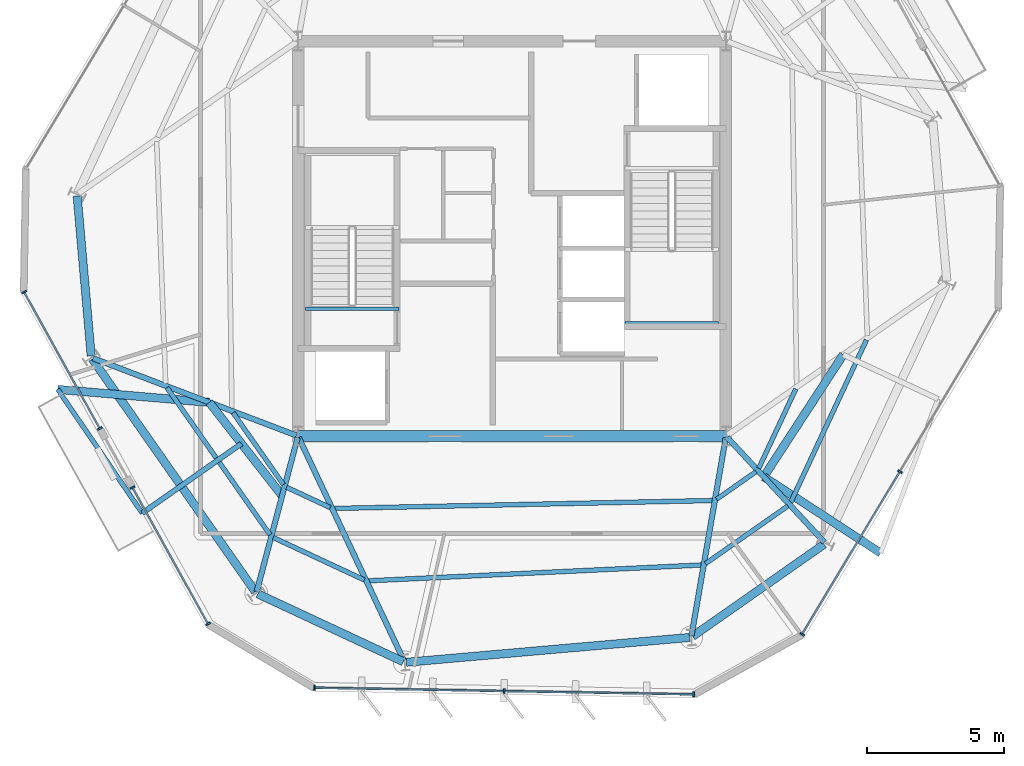
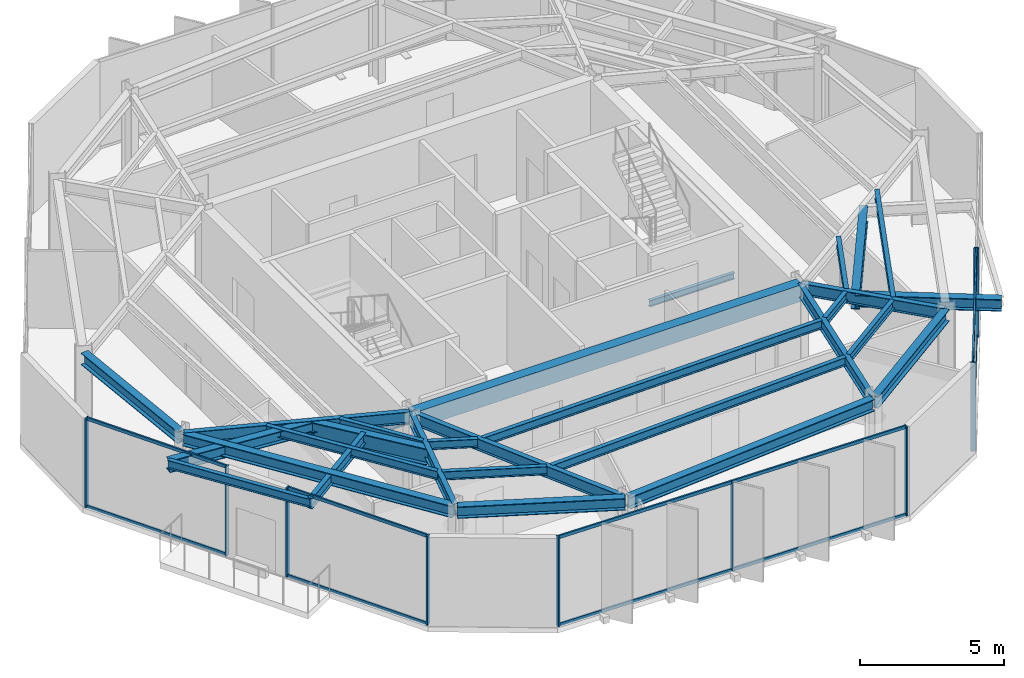
# One storey, part 2 of 10: 29 beams, 19 members, 4 elements without a shape of their own.
"""IFC4 building model written with IfcOpenShell, lengths in metres."""

from ifc_helpers import new_model, si_unit, direction, frame, origin, origin_2d, place, context, subcontext, project, spatial, rectangle, i_section, extrude, material, layer, layer_set, material_profile, profile_set, type_object, element, aggregate, save


model = new_model("IFC4")

# Units and contexts
model_context = context("Model", 3, precision=1e-05, world=origin(), true_north=direction((0.0, 1.0)))
body_context = subcontext(model_context, "Body", "Model", "MODEL_VIEW")
ifc_project = project(units=[si_unit("LENGTHUNIT", "METRE"), si_unit("AREAUNIT", "SQUARE_METRE"), si_unit("VOLUMEUNIT", "CUBIC_METRE"), si_unit("PLANEANGLEUNIT", "RADIAN"), si_unit("MASSUNIT", "GRAM", prefix="KILO")], contexts=[model_context])

# Site, building, storey
site_placement = place(None, origin())
site = spatial("IfcSite", under=ifc_project, at=site_placement, CompositionType="ELEMENT")
building_placement = place(site_placement, origin())
building = spatial("IfcBuilding", under=site, at=building_placement, Name="Kranzbogen Civic Tower", CompositionType="ELEMENT")
storey_placement = place(building_placement, frame((0.0, 0.0, 262.199951171875)))
storey = spatial("IfcBuildingStorey", under=building, at=storey_placement, Name="L63", CompositionType="ELEMENT", Elevation=262.199951171875)

# Beams
ifc_material_1 = material(Name="Steel S355", Category="steel")
ifc_material_profile_1 = material_profile(ifc_material_1, i_section(OverallWidth=0.18994140625, OverallDepth=0.449951171875, WebThickness=0.009521484375, FlangeThickness=0.0146484375, at=origin_2d()), Name="IPE 450")
ifc_profile_set_1 = profile_set([ifc_material_profile_1], Name="Steel S355")
beam_type_1 = type_object("IfcBeamType", Name="Braced Terrace Edge Beam IPE 450", PredefinedType="BEAM", material=ifc_profile_set_1)
beam_1_placement = place(storey_placement, frame((15.138916015625, 17.52490234375, 3.525146484375), z_axis=(-0.819187768646, -0.5735254133, 0.0), x_axis=(0.5735254133, -0.819187768646, 0.0)))
element("IfcBeam", 1, at=beam_1_placement, inside=storey, type_object=beam_type_1, Name="L64 back-spanned terrace beam L64-TB1-2", PredefinedType="BEAM", context=body_context, shape_type="SweptSolid", body=[
    extrude(i_section(OverallWidth=0.18994140625, OverallDepth=0.449951171875, WebThickness=0.009521484375, FlangeThickness=0.0146484375, at=origin_2d()), origin(), (0.0, 0.0, 1.0), 4.41650390625),
])
ifc_material_2 = material(Name="Concrete C40/50", Category="concrete")
ifc_material_profile_2 = material_profile(ifc_material_2, rectangle(XDim=0.39990234375, YDim=0.699951171875, at=origin_2d()), Name="RC-BM 400x700")
ifc_profile_set_2 = profile_set([ifc_material_profile_2], Name="Concrete C40/50")
beam_type_2 = type_object("IfcBeamType", Name="Core Coupling Lintel Beam 400x700", PredefinedType="LINTEL", material=ifc_profile_set_2)
beam_2_placement = place(storey_placement, frame((17.199951171875, 17.800048828125, 3.429931640625), z_axis=(1.0, 0.0, 0.0), x_axis=(0.0, 1.0, 0.0)))
element("IfcBeam", 2, at=beam_2_placement, inside=storey, type_object=beam_type_2, Name="L63 core South coupling lintel beam", PredefinedType="LINTEL", context=body_context, shape_type="SweptSolid", body=[
    extrude(rectangle(XDim=0.39990234375, YDim=0.699951171875, at=origin_2d()), origin(), (0.0, 0.0, 1.0), 15.60009765625),
])

# Curtain wall, members
ifc_material_3 = material(Name="Pale Anodised Aluminium", Category="aluminium")
ifc_layer = layer(ifc_material_3, 0.219970703125, Name="Pale Anodised Aluminium")
ifc_layer_set = layer_set([ifc_layer], Name="Pale Anodised Aluminium")
curtain_wall_type = type_object("IfcCurtainWallType", Name="Zone 4 Stick Curtain Wall System CW-05", PredefinedType="USERDEFINED", material=ifc_layer_set)
curtain_wall_1_placement = place(storey_placement, origin())
curtain_wall_1 = element("IfcCurtainWall", 3, at=curtain_wall_1_placement, inside=storey, type_object=curtain_wall_type, Name="L63 curtain wall CW-L63-F3-S1", ObjectType="STICK CURTAIN WALL", PredefinedType="USERDEFINED")
ifc_material_profile_3 = material_profile(ifc_material_3, rectangle(XDim=0.06494140625, YDim=0.179931640625, at=origin_2d()), Name="ALU-M 65x180")
ifc_profile_set_3 = profile_set([ifc_material_profile_3], Name="Pale Anodised Aluminium")
member_type_1 = type_object("IfcMemberType", Name="Curtain Wall Mullion ALU-M 65x180", PredefinedType="MULLION", material=ifc_profile_set_3)
member_1_placement = place(storey_placement, frame((7.219482421875, 23.0517578125, 0.0), z_axis=(0.0, 0.0, 1.0), x_axis=(0.484815305317, -0.874616555829, 0.0)))
member_1 = element("IfcMember", 4, at=member_1_placement, type_object=member_type_1, Name="CW-05 mullion 1", PredefinedType="MULLION", context=body_context, shape_type="SweptSolid", body=[
    extrude(rectangle(XDim=0.06494140625, YDim=0.179931640625, at=origin_2d()), origin(), (0.0, 0.0, 1.0), 3.780029296875),
])
member_2_placement = place(storey_placement, frame((9.9765625, 18.078125, 0.0), z_axis=(0.0, 0.0, 1.0), x_axis=(0.484815305317, -0.874616555829, 0.0)))
member_2 = element("IfcMember", 5, at=member_2_placement, type_object=member_type_1, Name="CW-05 mullion 2", PredefinedType="MULLION", context=body_context, shape_type="SweptSolid", body=[
    extrude(rectangle(XDim=0.06494140625, YDim=0.179931640625, at=origin_2d()), origin(), (0.0, 0.0, 1.0), 3.780029296875),
])

curtain_wall_2_placement = place(storey_placement, origin())
curtain_wall_2 = element("IfcCurtainWall", 6, at=curtain_wall_2_placement, inside=storey, type_object=curtain_wall_type, Name="L63 curtain wall CW-L63-F3-S2", ObjectType="STICK CURTAIN WALL", PredefinedType="USERDEFINED")
member_3_placement = place(storey_placement, frame((11.16845703125, 15.9267578125, 0.0), z_axis=(0.0, 0.0, 1.0), x_axis=(0.484815305317, -0.874616555829, 0.0)))
member_3 = element("IfcMember", 7, at=member_3_placement, type_object=member_type_1, Name="CW-05 mullion 1", PredefinedType="MULLION", context=body_context, shape_type="SweptSolid", body=[
    extrude(rectangle(XDim=0.06494140625, YDim=0.179931640625, at=origin_2d()), origin(), (0.0, 0.0, 1.0), 3.780029296875),
])
member_4_placement = place(storey_placement, frame((13.925537109375, 10.953125, 0.0), z_axis=(0.0, 0.0, 1.0), x_axis=(0.484815305317, -0.874616555829, 0.0)))
member_4 = element("IfcMember", 8, at=member_4_placement, type_object=member_type_1, Name="CW-05 mullion 2", PredefinedType="MULLION", context=body_context, shape_type="SweptSolid", body=[
    extrude(rectangle(XDim=0.06494140625, YDim=0.179931640625, at=origin_2d()), origin(), (0.0, 0.0, 1.0), 3.780029296875),
])

curtain_wall_3_placement = place(storey_placement, origin())
curtain_wall_3 = element("IfcCurtainWall", 9, at=curtain_wall_3_placement, inside=storey, type_object=curtain_wall_type, Name="L63 curtain wall CW-L63-F4", ObjectType="STICK CURTAIN WALL", PredefinedType="USERDEFINED")
member_5_placement = place(storey_placement, frame((17.798095703125, 8.62744140625, 0.0), z_axis=(0.0, 0.0, 1.0), x_axis=(0.999846982569, -0.017493182866, 0.0)))
member_5 = element("IfcMember", 10, at=member_5_placement, type_object=member_type_1, Name="CW-05 mullion 1", PredefinedType="MULLION", context=body_context, shape_type="SweptSolid", body=[
    extrude(rectangle(XDim=0.06494140625, YDim=0.179931640625, at=origin_2d()), origin(), (0.0, 0.0, 1.0), 3.780029296875),
])
member_6_placement = place(storey_placement, frame((24.71240234375, 8.506591796875, 0.0), z_axis=(0.0, 0.0, 1.0), x_axis=(0.999846982569, -0.017493182866, 0.0)))
member_6 = element("IfcMember", 11, at=member_6_placement, type_object=member_type_1, Name="CW-05 mullion 2", PredefinedType="MULLION", context=body_context, shape_type="SweptSolid", body=[
    extrude(rectangle(XDim=0.06494140625, YDim=0.179931640625, at=origin_2d()), origin(), (0.0, 0.0, 1.0), 3.780029296875),
])
member_7_placement = place(storey_placement, frame((31.626953125, 8.385498046875, 0.0), z_axis=(0.0, 0.0, 1.0), x_axis=(0.999846982569, -0.017493182866, 0.0)))
member_7 = element("IfcMember", 12, at=member_7_placement, type_object=member_type_1, Name="CW-05 mullion 3", PredefinedType="MULLION", context=body_context, shape_type="SweptSolid", body=[
    extrude(rectangle(XDim=0.06494140625, YDim=0.179931640625, at=origin_2d()), origin(), (0.0, 0.0, 1.0), 3.780029296875),
])

curtain_wall_4_placement = place(storey_placement, origin())
curtain_wall_4 = element("IfcCurtainWall", 13, at=curtain_wall_4_placement, inside=storey, type_object=curtain_wall_type, Name="L63 curtain wall CW-L63-F5", ObjectType="STICK CURTAIN WALL", PredefinedType="USERDEFINED")
member_8_placement = place(storey_placement, frame((35.577392578125, 10.57568359375, 0.0), z_axis=(0.0, 0.0, 1.0), x_axis=(0.515035522979, 0.857168834052, 0.0)))
member_8 = element("IfcMember", 14, at=member_8_placement, type_object=member_type_1, Name="CW-05 mullion 1", PredefinedType="MULLION", context=body_context, shape_type="SweptSolid", body=[
    extrude(rectangle(XDim=0.06494140625, YDim=0.179931640625, at=origin_2d()), origin(), (0.0, 0.0, 1.0), 3.780029296875),
])
member_9_placement = place(storey_placement, frame((39.139404296875, 16.50390625, 0.0), z_axis=(0.0, 0.0, 1.0), x_axis=(0.515035522979, 0.857168834052, 0.0)))
member_9 = element("IfcMember", 15, at=member_9_placement, type_object=member_type_1, Name="CW-05 mullion 2", PredefinedType="MULLION", context=body_context, shape_type="SweptSolid", body=[
    extrude(rectangle(XDim=0.06494140625, YDim=0.179931640625, at=origin_2d()), origin(), (0.0, 0.0, 1.0), 3.780029296875),
])

# Member
ifc_material_profile_4 = material_profile(ifc_material_3, rectangle(XDim=0.06494140625, YDim=0.135009765625, at=origin_2d()), Name="ALU-T 65x135")
ifc_profile_set_4 = profile_set([ifc_material_profile_4], Name="Pale Anodised Aluminium")
member_type_2 = type_object("IfcMemberType", Name="Curtain Wall Transom ALU-T 65x135", PredefinedType="USERDEFINED", material=ifc_profile_set_4)
member_10_placement = place(storey_placement, frame((7.234130859375, 23.025634765625, 0.030029296875), z_axis=(0.484802731222, -0.874623525753, 0.0), x_axis=(0.874623525753, 0.484802731222, 0.0)))
member_10 = element("IfcMember", 16, at=member_10_placement, type_object=member_type_2, Name="CW-05 transom 1.1", ObjectType="TRANSOM", PredefinedType="USERDEFINED", context=body_context, shape_type="SweptSolid", body=[
    extrude(rectangle(XDim=0.06494140625, YDim=0.135009765625, at=origin_2d()), origin(), (0.0, 0.0, 1.0), 5.62646484375),
])

member_11_placement = place(storey_placement, frame((7.234130859375, 23.025634765625, 3.75), z_axis=(0.484802731222, -0.874623525753, 0.0), x_axis=(0.874623525753, 0.484802731222, 0.0)))
member_11 = element("IfcMember", 17, at=member_11_placement, type_object=member_type_2, Name="CW-05 transom 1.2", ObjectType="TRANSOM", PredefinedType="USERDEFINED", context=body_context, shape_type="SweptSolid", body=[
    extrude(rectangle(XDim=0.06494140625, YDim=0.135009765625, at=origin_2d()), origin(), (0.0, 0.0, 1.0), 5.62646484375),
])

aggregate(curtain_wall_1, [member_1, member_2, member_10, member_11])

member_12_placement = place(storey_placement, frame((11.18310546875, 15.900634765625, 0.030029296875), z_axis=(0.484802731222, -0.874623525753, 0.0), x_axis=(0.874623525753, 0.484802731222, 0.0)))
member_12 = element("IfcMember", 18, at=member_12_placement, type_object=member_type_2, Name="CW-05 transom 1.1", ObjectType="TRANSOM", PredefinedType="USERDEFINED", context=body_context, shape_type="SweptSolid", body=[
    extrude(rectangle(XDim=0.06494140625, YDim=0.135009765625, at=origin_2d()), origin(), (0.0, 0.0, 1.0), 5.62646484375),
])

member_13_placement = place(storey_placement, frame((11.18310546875, 15.900634765625, 3.75), z_axis=(0.484802731222, -0.874623525753, 0.0), x_axis=(0.874623525753, 0.484802731222, 0.0)))
member_13 = element("IfcMember", 19, at=member_13_placement, type_object=member_type_2, Name="CW-05 transom 1.2", ObjectType="TRANSOM", PredefinedType="USERDEFINED", context=body_context, shape_type="SweptSolid", body=[
    extrude(rectangle(XDim=0.06494140625, YDim=0.135009765625, at=origin_2d()), origin(), (0.0, 0.0, 1.0), 5.62646484375),
])

aggregate(curtain_wall_2, [member_3, member_4, member_12, member_13])

member_14_placement = place(storey_placement, frame((17.827880859375, 8.626953125, 0.030029296875), z_axis=(0.999847126578, -0.017484949929, 0.0), x_axis=(0.017484949929, 0.999847126578, 0.0)))
member_14 = element("IfcMember", 20, at=member_14_placement, type_object=member_type_2, Name="CW-05 transom 1.1", ObjectType="TRANSOM", PredefinedType="USERDEFINED", context=body_context, shape_type="SweptSolid", body=[
    extrude(rectangle(XDim=0.06494140625, YDim=0.135009765625, at=origin_2d()), origin(), (0.0, 0.0, 1.0), 6.855712890625),
])

member_15_placement = place(storey_placement, frame((17.827880859375, 8.626953125, 3.75), z_axis=(0.999847126578, -0.017484949929, 0.0), x_axis=(0.017484949929, 0.999847126578, 0.0)))
member_15 = element("IfcMember", 21, at=member_15_placement, type_object=member_type_2, Name="CW-05 transom 1.2", ObjectType="TRANSOM", PredefinedType="USERDEFINED", context=body_context, shape_type="SweptSolid", body=[
    extrude(rectangle(XDim=0.06494140625, YDim=0.135009765625, at=origin_2d()), origin(), (0.0, 0.0, 1.0), 6.855712890625),
])

member_16_placement = place(storey_placement, frame((24.742431640625, 8.505859375, 0.030029296875), z_axis=(0.99984711569, -0.01748557251, 0.0), x_axis=(0.01748557251, 0.99984711569, 0.0)))
member_16 = element("IfcMember", 22, at=member_16_placement, type_object=member_type_2, Name="CW-05 transom 2.1", ObjectType="TRANSOM", PredefinedType="USERDEFINED", context=body_context, shape_type="SweptSolid", body=[
    extrude(rectangle(XDim=0.06494140625, YDim=0.135009765625, at=origin_2d()), origin(), (0.0, 0.0, 1.0), 6.85546875),
])

member_17_placement = place(storey_placement, frame((24.742431640625, 8.505859375, 3.75), z_axis=(0.99984711569, -0.01748557251, 0.0), x_axis=(0.01748557251, 0.99984711569, 0.0)))
member_17 = element("IfcMember", 23, at=member_17_placement, type_object=member_type_2, Name="CW-05 transom 2.2", ObjectType="TRANSOM", PredefinedType="USERDEFINED", context=body_context, shape_type="SweptSolid", body=[
    extrude(rectangle(XDim=0.06494140625, YDim=0.135009765625, at=origin_2d()), origin(), (0.0, 0.0, 1.0), 6.85546875),
])

aggregate(curtain_wall_3, [member_5, member_6, member_7, member_14, member_15, member_16, member_17])

member_18_placement = place(storey_placement, frame((35.593017578125, 10.601318359375, 0.030029296875), z_axis=(0.515014087673, 0.857181713231, 0.0), x_axis=(-0.857181713231, 0.515014087673, 0.0)))
member_18 = element("IfcMember", 24, at=member_18_placement, type_object=member_type_2, Name="CW-05 transom 1.1", ObjectType="TRANSOM", PredefinedType="USERDEFINED", context=body_context, shape_type="SweptSolid", body=[
    extrude(rectangle(XDim=0.06494140625, YDim=0.135009765625, at=origin_2d()), origin(), (0.0, 0.0, 1.0), 6.856201171875),
])

member_19_placement = place(storey_placement, frame((35.593017578125, 10.601318359375, 3.75), z_axis=(0.515014087673, 0.857181713231, 0.0), x_axis=(-0.857181713231, 0.515014087673, 0.0)))
member_19 = element("IfcMember", 25, at=member_19_placement, type_object=member_type_2, Name="CW-05 transom 1.2", ObjectType="TRANSOM", PredefinedType="USERDEFINED", context=body_context, shape_type="SweptSolid", body=[
    extrude(rectangle(XDim=0.06494140625, YDim=0.135009765625, at=origin_2d()), origin(), (0.0, 0.0, 1.0), 6.856201171875),
])

aggregate(curtain_wall_4, [member_8, member_9, member_18, member_19])

# Beams
ifc_material_profile_5 = material_profile(ifc_material_1, i_section(OverallWidth=0.300048828125, OverallDepth=0.5, WebThickness=0.014404296875, FlangeThickness=0.028076171875, at=origin_2d()), Name="HEB 500")
ifc_profile_set_5 = profile_set([ifc_material_profile_5], Name="Steel S355")
beam_type_3 = type_object("IfcBeamType", Name="Perimeter Tube Spandrel Beam HEB 500", PredefinedType="SPANDREL", material=ifc_profile_set_5)
beam_3_placement = place(storey_placement, frame((9.699951171875, 20.612060546875, 3.530029296875), z_axis=(0.573577759301, -0.819151117948, 0.0), x_axis=(0.819151117948, 0.573577759301, 0.0)))
element("IfcBeam", 26, at=beam_3_placement, inside=storey, type_object=beam_type_3, Name="L63 perimeter spandrel beam 01", PredefinedType="SPANDREL", context=body_context, shape_type="SweptSolid", body=[
    extrude(i_section(OverallWidth=0.300048828125, OverallDepth=0.5, WebThickness=0.014404296875, FlangeThickness=0.028076171875, at=origin_2d()), origin(), (0.0, 0.0, 1.0), 10.36328125),
])
beam_4_placement = place(storey_placement, frame((15.73193359375, 12.049072265625, 3.530029296875), z_axis=(0.906289661556, -0.422657129784, 0.0), x_axis=(0.422657129784, 0.906289661556, 0.0)))
element("IfcBeam", 27, at=beam_4_placement, inside=storey, type_object=beam_type_3, Name="L63 perimeter spandrel beam 02", PredefinedType="SPANDREL", context=body_context, shape_type="SweptSolid", body=[
    extrude(i_section(OverallWidth=0.300048828125, OverallDepth=0.5, WebThickness=0.014404296875, FlangeThickness=0.028076171875, at=origin_2d()), origin(), (0.0, 0.0, 1.0), 5.853759765625),
])
beam_5_placement = place(storey_placement, frame((21.15087890625, 9.554931640625, 3.530029296875), z_axis=(0.996186373839, 0.087250837114, 0.0), x_axis=(-0.087250837114, 0.996186373839, 0.0)))
element("IfcBeam", 28, at=beam_5_placement, inside=storey, type_object=beam_type_3, Name="L63 perimeter spandrel beam 03", PredefinedType="SPANDREL", context=body_context, shape_type="SweptSolid", body=[
    extrude(i_section(OverallWidth=0.300048828125, OverallDepth=0.5, WebThickness=0.014404296875, FlangeThickness=0.028076171875, at=origin_2d()), origin(), (0.0, 0.0, 1.0), 10.361572265625),
])
beam_6_placement = place(storey_placement, frame((31.58203125, 10.498046875, 3.530029296875), z_axis=(0.819059436004, 0.57370867197, 0.0), x_axis=(-0.57370867197, 0.819059436004, 0.0)))
element("IfcBeam", 29, at=beam_6_placement, inside=storey, type_object=beam_type_3, Name="L63 perimeter spandrel beam 04", PredefinedType="SPANDREL", context=body_context, shape_type="SweptSolid", body=[
    extrude(i_section(OverallWidth=0.300048828125, OverallDepth=0.5, WebThickness=0.014404296875, FlangeThickness=0.028076171875, at=origin_2d()), origin(), (0.0, 0.0, 1.0), 5.85302734375),
])
beam_7_placement = place(storey_placement, frame((9.14990234375, 26.550048828125, 3.530029296875), z_axis=(0.087326362434, -0.99617975608, 0.0), x_axis=(0.99617975608, 0.087326362434, 0.0)))
element("IfcBeam", 30, at=beam_7_placement, inside=storey, type_object=beam_type_3, Name="L63 perimeter spandrel beam 12", PredefinedType="SPANDREL", context=body_context, shape_type="SweptSolid", body=[
    extrude(i_section(OverallWidth=0.300048828125, OverallDepth=0.5, WebThickness=0.014404296875, FlangeThickness=0.028076171875, at=origin_2d()), origin(), (0.0, 0.0, 1.0), 5.8515625),
])
beam_8_placement = place(storey_placement, frame((13.966064453125, 19.028076171875, 3.5), z_axis=(-0.996357130753, 0.085278766394, 0.0), x_axis=(-0.085278766394, -0.996357130753, 0.0)))
element("IfcBeam", 31, at=beam_8_placement, inside=storey, type_object=beam_type_3, Name="L64 back-spanned terrace beam L64-TB1-1", PredefinedType="SPANDREL", context=body_context, shape_type="SweptSolid", body=[
    extrude(i_section(OverallWidth=0.300048828125, OverallDepth=0.5, WebThickness=0.014404296875, FlangeThickness=0.028076171875, at=origin_2d()), origin(), (0.0, 0.0, 1.0), 5.54541015625),
])
beam_9_placement = place(storey_placement, frame((34.177001953125, 16.31396484375, 3.469970703125), z_axis=(0.837997063977, -0.545674738985, 0.0), x_axis=(0.545674738985, 0.837997063977, 0.0)))
element("IfcBeam", 32, at=beam_9_placement, inside=storey, type_object=beam_type_3, Name="L64 back-spanned terrace beam L64-ST-1", PredefinedType="SPANDREL", context=body_context, shape_type="SweptSolid", body=[
    extrude(i_section(OverallWidth=0.300048828125, OverallDepth=0.5, WebThickness=0.014404296875, FlangeThickness=0.028076171875, at=origin_2d()), origin(), (0.0, 0.0, 1.0), 5.087158203125),
])
ifc_material_profile_6 = material_profile(ifc_material_1, i_section(OverallWidth=0.300048828125, OverallDepth=0.699951171875, WebThickness=0.01708984375, FlangeThickness=0.031982421875, at=origin_2d()), Name="HEB 700")
ifc_profile_set_6 = profile_set([ifc_material_profile_6], Name="Steel S355")
beam_type_4 = type_object("IfcBeamType", Name="Perimeter Tube Spandrel Beam HEB 700", PredefinedType="SPANDREL", material=ifc_profile_set_6)
beam_10_placement = place(storey_placement, frame((13.966064453125, 19.028076171875, 3.400146484375), z_axis=(0.615153431403, -0.788407417414, 0.0), x_axis=(0.788407417414, 0.615153431403, 0.0)))
element("IfcBeam", 33, at=beam_10_placement, inside=storey, type_object=beam_type_4, Name="L64 balcony back-span header girder L64-TB1", PredefinedType="SPANDREL", context=body_context, shape_type="SweptSolid", body=[
    extrude(i_section(OverallWidth=0.300048828125, OverallDepth=0.699951171875, WebThickness=0.01708984375, FlangeThickness=0.031982421875, at=origin_2d()), origin(), (0.0, 0.0, 1.0), 4.317626953125),
])
beam_11_placement = place(storey_placement, frame((34.177001953125, 16.31396484375, 3.3701171875), z_axis=(0.54556961734, 0.838065506172, 0.0), x_axis=(-0.838065506172, 0.54556961734, 0.0)))
element("IfcBeam", 34, at=beam_11_placement, inside=storey, type_object=beam_type_4, Name="L64 balcony back-span header girder L64-ST", PredefinedType="SPANDREL", context=body_context, shape_type="SweptSolid", body=[
    extrude(i_section(OverallWidth=0.300048828125, OverallDepth=0.699951171875, WebThickness=0.01708984375, FlangeThickness=0.031982421875, at=origin_2d()), origin(), (0.0, 0.0, 1.0), 5.3134765625),
])
ifc_material_profile_7 = material_profile(ifc_material_1, i_section(OverallWidth=0.199951171875, OverallDepth=0.5, WebThickness=0.01025390625, FlangeThickness=0.01611328125, at=origin_2d()), Name="IPE 500")
ifc_profile_set_7 = profile_set([ifc_material_profile_7], Name="Steel S355")
beam_type_5 = type_object("IfcBeamType", Name="Radial Tower Floor Girder IPE 500", PredefinedType="BEAM", material=ifc_profile_set_7)
beam_12_placement = place(storey_placement, frame((9.721923828125, 20.639892578125, 3.530029296875), z_axis=(0.934848709689, -0.355046320913, 0.0), x_axis=(0.355046320913, 0.934848709689, 0.0)))
element("IfcBeam", 35, at=beam_12_placement, inside=storey, type_object=beam_type_5, Name="L63 radial floor girder 01", PredefinedType="BEAM", context=body_context, shape_type="SweptSolid", body=[
    extrude(i_section(OverallWidth=0.199951171875, OverallDepth=0.5, WebThickness=0.01025390625, FlangeThickness=0.01611328125, at=origin_2d()), origin(), (0.0, 0.0, 1.0), 7.939453125),
])
beam_13_placement = place(storey_placement, frame((15.693115234375, 12.132080078125, 3.530029296875), z_axis=(0.257016017622, 0.966407143333, 0.0), x_axis=(-0.966407143333, 0.257016017622, 0.0)))
element("IfcBeam", 36, at=beam_13_placement, inside=storey, type_object=beam_type_5, Name="L63 radial floor girder 02", PredefinedType="BEAM", context=body_context, shape_type="SweptSolid", body=[
    extrude(i_section(OverallWidth=0.199951171875, OverallDepth=0.5, WebThickness=0.01025390625, FlangeThickness=0.01611328125, at=origin_2d()), origin(), (0.0, 0.0, 1.0), 5.804931640625),
])
beam_14_placement = place(storey_placement, frame((21.06494140625, 9.60400390625, 3.530029296875), z_axis=(-0.426460441273, 0.904506214478, 0.0), x_axis=(-0.904506214478, -0.426460441273, 0.0)))
element("IfcBeam", 37, at=beam_14_placement, inside=storey, type_object=beam_type_5, Name="L63 radial floor girder 03", PredefinedType="BEAM", context=body_context, shape_type="SweptSolid", body=[
    extrude(i_section(OverallWidth=0.199951171875, OverallDepth=0.5, WebThickness=0.01025390625, FlangeThickness=0.01611328125, at=origin_2d()), origin(), (0.0, 0.0, 1.0), 9.001708984375),
])
beam_15_placement = place(storey_placement, frame((31.54296875, 10.52294921875, 3.530029296875), z_axis=(0.170249558486, 0.985400978199, 0.0), x_axis=(-0.985400978199, 0.170249558486, 0.0)))
element("IfcBeam", 38, at=beam_15_placement, inside=storey, type_object=beam_type_5, Name="L63 radial floor girder 04", PredefinedType="BEAM", context=body_context, shape_type="SweptSolid", body=[
    extrude(i_section(OverallWidth=0.199951171875, OverallDepth=0.5, WebThickness=0.01025390625, FlangeThickness=0.01611328125, at=origin_2d()), origin(), (0.0, 0.0, 1.0), 7.324951171875),
])
beam_16_placement = place(storey_placement, frame((36.384033203125, 13.93408203125, 3.530029296875), z_axis=(-0.679827353702, 0.733372190064, 0.0), x_axis=(-0.733372190064, -0.679827353702, 0.0)))
element("IfcBeam", 39, at=beam_16_placement, inside=storey, type_object=beam_type_5, Name="L63 radial floor girder 05", PredefinedType="BEAM", context=body_context, shape_type="SweptSolid", body=[
    extrude(i_section(OverallWidth=0.199951171875, OverallDepth=0.5, WebThickness=0.01025390625, FlangeThickness=0.01611328125, at=origin_2d()), origin(), (0.0, 0.0, 1.0), 5.211669921875),
])
ifc_material_profile_8 = material_profile(ifc_material_1, i_section(OverallWidth=0.169921875, OverallDepth=0.360107421875, WebThickness=0.008056640625, FlangeThickness=0.0126953125, at=origin_2d()), Name="IPE 360")
ifc_profile_set_8 = profile_set([ifc_material_profile_8], Name="Steel S355")
beam_type_6 = type_object("IfcBeamType", Name="Secondary Composite Floor Joist IPE 360", PredefinedType="JOIST", material=ifc_profile_set_8)
beam_17_placement = place(storey_placement, frame((12.424072265625, 19.56591796875, 3.60009765625), z_axis=(0.573499872939, -0.819205649235, 0.0), x_axis=(0.819205649235, 0.573499872939, 0.0)))
element("IfcBeam", 40, at=beam_17_placement, inside=storey, type_object=beam_type_6, Name="L63 secondary floor joist 1.01", PredefinedType="JOIST", context=body_context, shape_type="SweptSolid", body=[
    extrude(i_section(OverallWidth=0.169921875, OverallDepth=0.360107421875, WebThickness=0.008056640625, FlangeThickness=0.0126953125, at=origin_2d()), origin(), (0.0, 0.0, 1.0), 6.549072265625),
])
beam_18_placement = place(storey_placement, frame((14.8349609375, 18.64990234375, 3.60009765625), z_axis=(0.573498248491, -0.819206786457, 0.0), x_axis=(0.819206786457, 0.573498248491, 0.0)))
element("IfcBeam", 41, at=beam_18_placement, inside=storey, type_object=beam_type_6, Name="L63 secondary floor joist 2.01", PredefinedType="JOIST", context=body_context, shape_type="SweptSolid", body=[
    extrude(i_section(OverallWidth=0.169921875, OverallDepth=0.360107421875, WebThickness=0.008056640625, FlangeThickness=0.0126953125, at=origin_2d()), origin(), (0.0, 0.0, 1.0), 3.194580078125),
])
beam_19_placement = place(storey_placement, frame((16.298095703125, 14.10205078125, 3.60009765625), z_axis=(0.906303996948, -0.422626389517, 0.0), x_axis=(0.422626389517, 0.906303996948, 0.0)))
element("IfcBeam", 42, at=beam_19_placement, inside=storey, type_object=beam_type_6, Name="L63 secondary floor joist 1.02", PredefinedType="JOIST", context=body_context, shape_type="SweptSolid", body=[
    extrude(i_section(OverallWidth=0.169921875, OverallDepth=0.360107421875, WebThickness=0.008056640625, FlangeThickness=0.0126953125, at=origin_2d()), origin(), (0.0, 0.0, 1.0), 3.6630859375),
])
beam_20_placement = place(storey_placement, frame((16.784912109375, 15.93408203125, 3.60009765625), z_axis=(0.906432174342, -0.422351409751, 0.0), x_axis=(0.422351409751, 0.906432174342, 0.0)))
element("IfcBeam", 43, at=beam_20_placement, inside=storey, type_object=beam_type_6, Name="L63 secondary floor joist 2.02", PredefinedType="JOIST", context=body_context, shape_type="SweptSolid", body=[
    extrude(i_section(OverallWidth=0.169921875, OverallDepth=0.360107421875, WebThickness=0.008056640625, FlangeThickness=0.0126953125, at=origin_2d()), origin(), (0.0, 0.0, 1.0), 1.751953125),
])
beam_21_placement = place(storey_placement, frame((19.77001953125, 12.52392578125, 3.60009765625), z_axis=(0.998871634781, 0.047491654324, 0.0), x_axis=(-0.047491654324, 0.998871634781, 0.0)))
element("IfcBeam", 44, at=beam_21_placement, inside=storey, type_object=beam_type_6, Name="L63 secondary floor joist 1.03", PredefinedType="JOIST", context=body_context, shape_type="SweptSolid", body=[
    extrude(i_section(OverallWidth=0.169921875, OverallDepth=0.360107421875, WebThickness=0.008056640625, FlangeThickness=0.0126953125, at=origin_2d()), origin(), (0.0, 0.0, 1.0), 12.152587890625),
])
beam_22_placement = place(storey_placement, frame((18.52490234375, 15.162109375, 3.60009765625), z_axis=(0.999780746893, 0.020939392104, 0.0), x_axis=(-0.020939392104, 0.999780746893, 0.0)))
element("IfcBeam", 45, at=beam_22_placement, inside=storey, type_object=beam_type_6, Name="L63 secondary floor joist 2.03", PredefinedType="JOIST", context=body_context, shape_type="SweptSolid", body=[
    extrude(i_section(OverallWidth=0.169921875, OverallDepth=0.360107421875, WebThickness=0.008056640625, FlangeThickness=0.0126953125, at=origin_2d()), origin(), (0.0, 0.0, 1.0), 13.79296875),
])
beam_23_placement = place(storey_placement, frame((32.054931640625, 13.15087890625, 3.60009765625), z_axis=(0.819006333711, 0.573784476385, 0.0), x_axis=(-0.573784476385, 0.819006333711, 0.0)))
element("IfcBeam", 46, at=beam_23_placement, inside=storey, type_object=beam_type_6, Name="L63 secondary floor joist 1.04", PredefinedType="JOIST", context=body_context, shape_type="SweptSolid", body=[
    extrude(i_section(OverallWidth=0.169921875, OverallDepth=0.360107421875, WebThickness=0.008056640625, FlangeThickness=0.0126953125, at=origin_2d()), origin(), (0.0, 0.0, 1.0), 3.661865234375),
])
beam_24_placement = place(storey_placement, frame((32.4599609375, 15.498046875, 3.60009765625), z_axis=(0.818956727849, 0.573855276103, 0.0), x_axis=(-0.573855276103, 0.818956727849, 0.0)))
element("IfcBeam", 47, at=beam_24_placement, inside=storey, type_object=beam_type_6, Name="L63 secondary floor joist 2.04", PredefinedType="JOIST", context=body_context, shape_type="SweptSolid", body=[
    extrude(i_section(OverallWidth=0.169921875, OverallDepth=0.360107421875, WebThickness=0.008056640625, FlangeThickness=0.0126953125, at=origin_2d()), origin(), (0.0, 0.0, 1.0), 1.751220703125),
])
beam_25_placement = place(storey_placement, frame((35.154052734375, 15.3701171875, 3.60009765625), z_axis=(0.422542528713, 0.906343098075, 0.0), x_axis=(-0.906343098075, 0.422542528713, 0.0)))
element("IfcBeam", 48, at=beam_25_placement, inside=storey, type_object=beam_type_6, Name="L63 secondary floor joist 1.05", PredefinedType="JOIST", context=body_context, shape_type="SweptSolid", body=[
    extrude(i_section(OverallWidth=0.169921875, OverallDepth=0.360107421875, WebThickness=0.008056640625, FlangeThickness=0.0126953125, at=origin_2d()), origin(), (0.0, 0.0, 1.0), 6.548095703125),
])
beam_26_placement = place(storey_placement, frame((33.993896484375, 16.62109375, 3.60009765625), z_axis=(0.422651143991, 0.906292453065, 0.0), x_axis=(-0.906292453065, 0.422651143991, 0.0)))
element("IfcBeam", 49, at=beam_26_placement, inside=storey, type_object=beam_type_6, Name="L63 secondary floor joist 2.05", PredefinedType="JOIST", context=body_context, shape_type="SweptSolid", body=[
    extrude(i_section(OverallWidth=0.169921875, OverallDepth=0.360107421875, WebThickness=0.008056640625, FlangeThickness=0.0126953125, at=origin_2d()), origin(), (0.0, 0.0, 1.0), 3.1943359375),
])
beam_27_placement = place(storey_placement, frame((8.44091796875, 19.5009765625, 3.570068359375), z_axis=(0.564053854656, -0.825738002667, 0.0), x_axis=(0.825738002667, 0.564053854656, 0.0)))
element("IfcBeam", 50, at=beam_27_placement, inside=storey, type_object=beam_type_6, Name="L64 terrace outer edge trimmer L64-TB1", PredefinedType="JOIST", context=body_context, shape_type="SweptSolid", body=[
    extrude(i_section(OverallWidth=0.169921875, OverallDepth=0.360107421875, WebThickness=0.008056640625, FlangeThickness=0.0126953125, at=origin_2d()), origin(), (0.0, 0.0, 1.0), 5.460693359375),
])
ifc_material_profile_9 = material_profile(ifc_material_1, i_section(OverallWidth=0.135009765625, OverallDepth=0.27001953125, WebThickness=0.006591796875, FlangeThickness=0.01025390625, at=origin_2d()), Name="IPE 270")
ifc_profile_set_9 = profile_set([ifc_material_profile_9], Name="Steel S355")
beam_type_7 = type_object("IfcBeamType", Name="Stair Landing Support Beam IPE 270", PredefinedType="JOIST", material=ifc_profile_set_9)
for number, where, z_axis, x_axis, name in (
    (51, (20.8798828125, 22.43994140625, -0.35498046875), (-1.0, 0.0, 0.0), (0.0, -1.0, 0.0), "L63 ST-T1 stair floor header beam"),
    (52, (29.1201171875, 21.89990234375, 1.6650390625), (1.0, 0.0, 0.0), (0.0, 1.0, 0.0), "L63 ST-T2 landing support beam 1.2"),
):
    element("IfcBeam", number, at=place(storey_placement, frame(where, z_axis=z_axis, x_axis=x_axis)), inside=storey, type_object=beam_type_7, Name=name, PredefinedType="JOIST", context=body_context, shape_type="SweptSolid", body=[
        extrude(i_section(OverallWidth=0.135009765625, OverallDepth=0.27001953125, WebThickness=0.006591796875, FlangeThickness=0.01025390625, at=origin_2d()), origin(), (0.0, 0.0, 1.0), 3.409912109375),
    ])

save(model, "model.ifc")
